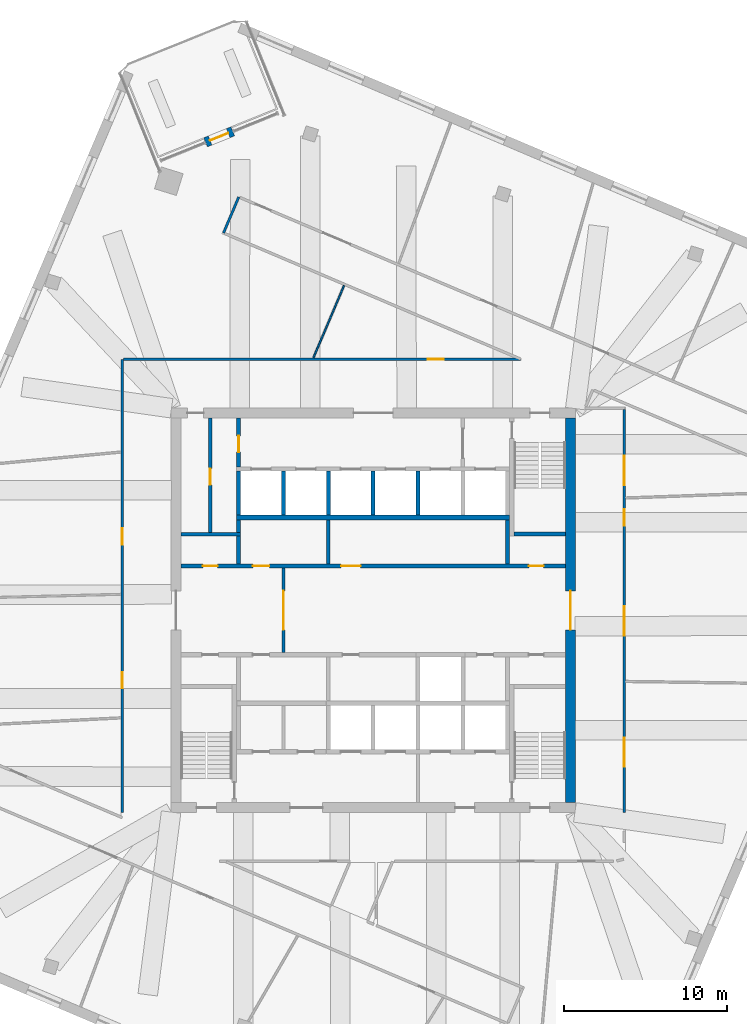
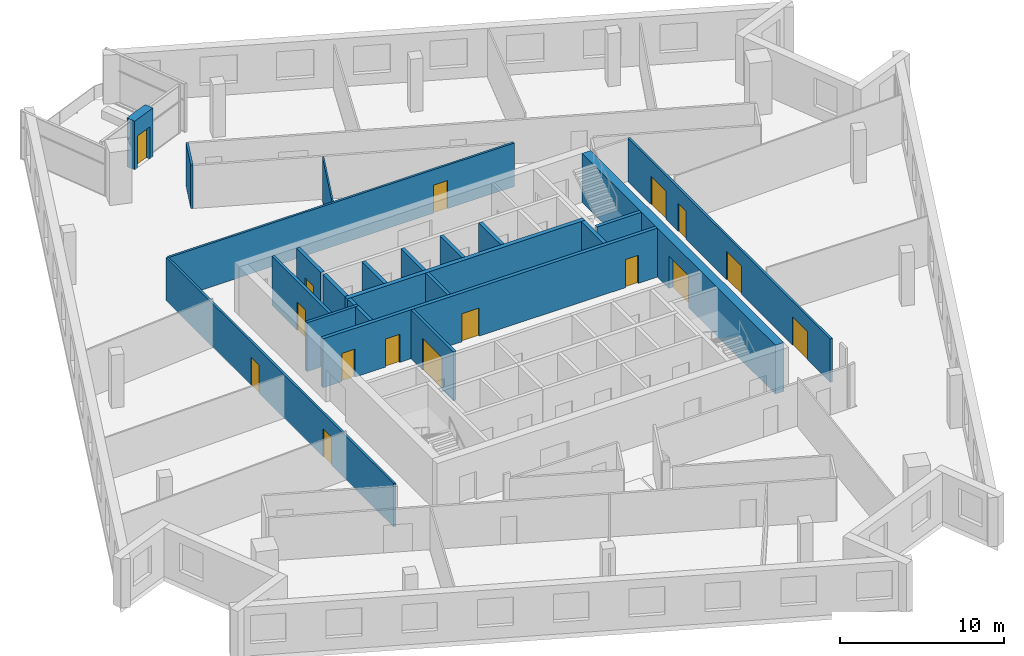
# One storey, part 9 of 13: 23 walls, 16 doors, 16 openings.
"""IFC4 building model written with IfcOpenShell, lengths in metres."""

from ifc_helpers import new_model, si_unit, direction, frame, frame_2d, origin, place, context, subcontext, project, spatial, rectangle, extrude, material, layer, layer_set, type_object, element, fill, save


model = new_model("IFC4")

# Units and contexts
model_context = context("Model", 3, precision=1e-05, world=origin(), true_north=direction((0.0, 1.0)))
body_context = subcontext(model_context, "Body", "Model", "MODEL_VIEW")
ifc_project = project(units=[si_unit("LENGTHUNIT", "METRE"), si_unit("AREAUNIT", "SQUARE_METRE"), si_unit("VOLUMEUNIT", "CUBIC_METRE"), si_unit("PLANEANGLEUNIT", "RADIAN"), si_unit("MASSUNIT", "GRAM", prefix="KILO")], contexts=[model_context])

# Site, building, storey
site_placement = place(None, origin())
site = spatial("IfcSite", under=ifc_project, at=site_placement, CompositionType="ELEMENT")
building_placement = place(site_placement, origin())
building = spatial("IfcBuilding", under=site, at=building_placement, Name="Dilmun Exchange Tower", CompositionType="ELEMENT")
storey_placement = place(building_placement, frame((0.0, 0.0, 296.5)))
storey = spatial("IfcBuildingStorey", under=building, at=storey_placement, Name="L70", CompositionType="ELEMENT", Elevation=296.5)

# Wall, opening, door
ifc_material_1 = material(Name="Concrete C40/50", Category="concrete")
ifc_layer_1 = layer(ifc_material_1, 0.199951171875)
ifc_layer_set_1 = layer_set([ifc_layer_1], Name="Concrete C40/50")
wall_type_1 = type_object("IfcWallType", Name="Core partition wall 200", PredefinedType="PARTITIONING", material=ifc_layer_set_1)
wall_1_placement = place(storey_placement, frame((-5.5, -2.594970703125, 0.0), z_axis=(0.0, 0.0, 1.0), x_axis=(0.0, 1.0, 0.0)))
wall_1 = element("IfcWall", 1, at=wall_1_placement, inside=storey, type_object=wall_type_1, Name="L70 core partition wall 11", PredefinedType="PARTITIONING", context=body_context, shape_type="SweptSolid", body=[
    extrude(rectangle(XDim=5.18994140625, YDim=0.199951171875, at=frame_2d((2.594970703125, 0.0))), origin(), (0.0, 0.0, 1.0), 3.64990234375),
])
opening_1_placement = place(wall_1_placement, frame((1.39501953125, 0.0, 0.0)))
opening_1 = element("IfcOpeningElement", 2, at=opening_1_placement, cuts=wall_1, Name="Opening CD1", PredefinedType="OPENING", context=body_context, shape_type="SweptSolid", body=[
    extrude(rectangle(XDim=2.39990234375, YDim=2.39990234375, at=frame_2d((1.199951171875, 1.199951171875))), frame((0.0, 0.10986328125, 0.0), z_axis=(0.0, -1.0, 0.0), x_axis=(1.0, 0.0, 0.0)), (0.0, 0.0, 1.0), 0.219970703125),
])
ifc_material_2 = material(Name="Fire-rated steel door set", Category="steel")
door_type_1 = type_object("IfcDoorType", Name="Core lobby door 2400x2400", OperationType="DOUBLE_DOOR_DOUBLE_SWING", PredefinedType="DOOR", material=ifc_material_2)
door_1_placement = place(opening_1_placement, origin())
door_1 = element("IfcDoor", 3, at=door_1_placement, inside=storey, type_object=door_type_1, Name="L70 door Lift lobby east", OperationType="SINGLE_SWING_LEFT", OverallHeight=2.39990234375, OverallWidth=2.39990234375, PredefinedType="DOOR", context=body_context, shape_type="SweptSolid", body=[
    extrude(rectangle(XDim=2.39990234375, YDim=2.39990234375, at=frame_2d((1.199951171875, 1.199951171875))), frame((0.0, 0.02490234375, 0.0), z_axis=(0.0, -1.0, 0.0), x_axis=(1.0, 0.0, 0.0)), (0.0, 0.0, 1.0), 0.050048828125),
])
fill(opening_1, door_1)

# Walls
wall_2_placement = place(storey_placement, frame((-2.75, 2.85498046875, 0.0), z_axis=(0.0, 0.0, 1.0), x_axis=(0.0, 1.0, 0.0)))
element("IfcWall", 4, at=wall_2_placement, inside=storey, type_object=wall_type_1, Name="L70 core partition wall 14", PredefinedType="PARTITIONING", context=body_context, shape_type="SweptSolid", body=[
    extrude(rectangle(XDim=2.68994140625, YDim=0.199951171875, at=frame_2d((1.344970703125, 0.0))), origin(), (0.0, 0.0, 1.0), 3.64990234375),
])
wall_3_placement = place(storey_placement, frame((-11.794921875, 4.675048828125, 0.0), z_axis=(0.0, 0.0, 1.0), x_axis=(1.0, 0.0, 0.0)))
element("IfcWall", 5, at=wall_3_placement, inside=storey, type_object=wall_type_1, Name="L70 core partition wall 16", PredefinedType="PARTITIONING", context=body_context, shape_type="SweptSolid", body=[
    extrude(rectangle(XDim=3.64501953125, YDim=0.199951171875, at=frame_2d((1.822509765625, 0.0))), origin(), (0.0, 0.0, 1.0), 3.64990234375),
])

# Wall, opening, door
wall_4_placement = place(storey_placement, frame((-10.0, 4.780029296875, 0.0), z_axis=(0.0, 0.0, 1.0), x_axis=(0.0, 1.0, 0.0)))
wall_4 = element("IfcWall", 6, at=wall_4_placement, inside=storey, type_object=wall_type_1, Name="L70 core partition wall 17", PredefinedType="PARTITIONING", context=body_context, shape_type="SweptSolid", body=[
    extrude(rectangle(XDim=7.014892578125, YDim=0.199951171875, at=frame_2d((3.50732421875, 0.0))), origin(), (0.0, 0.0, 1.0), 3.64990234375),
])
opening_2_placement = place(wall_4_placement, frame((2.919921875, 0.0, 0.0)))
opening_2 = element("IfcOpeningElement", 7, at=opening_2_placement, cuts=wall_4, Name="Opening CD4", PredefinedType="OPENING", context=body_context, shape_type="SweptSolid", body=[
    extrude(rectangle(XDim=1.0, YDim=2.10009765625, at=frame_2d((0.5, 1.050048828125))), frame((0.0, 0.10986328125, 0.0), z_axis=(0.0, -1.0, 0.0), x_axis=(1.0, 0.0, 0.0)), (0.0, 0.0, 1.0), 0.219970703125),
])
door_type_2 = type_object("IfcDoorType", Name="Core room door 1000x2100", OperationType="SINGLE_SWING_LEFT", PredefinedType="DOOR", material=ifc_material_2)
door_2_placement = place(opening_2_placement, origin())
door_2 = element("IfcDoor", 8, at=door_2_placement, inside=storey, type_object=door_type_2, Name="L70 door Comms room", OperationType="SINGLE_SWING_LEFT", OverallHeight=2.10009765625, OverallWidth=1.0, PredefinedType="DOOR", context=body_context, shape_type="SweptSolid", body=[
    extrude(rectangle(XDim=1.0, YDim=2.10009765625, at=frame_2d((0.5, 1.050048828125))), frame((0.0, 0.02490234375, 0.0), z_axis=(0.0, -1.0, 0.0), x_axis=(1.0, 0.0, 0.0)), (0.0, 0.0, 1.0), 0.050048828125),
])
fill(opening_2, door_2)

# Wall, openings, doors
ifc_layer_2 = layer(ifc_material_1, 0.25)
ifc_layer_set_2 = layer_set([ifc_layer_2], Name="Concrete C40/50")
wall_type_2 = type_object("IfcWallType", Name="Core partition wall 250", PredefinedType="PARTITIONING", material=ifc_layer_set_2)
wall_5_placement = place(storey_placement, frame((-11.794921875, 2.72509765625, 0.0), z_axis=(0.0, 0.0, 1.0), x_axis=(1.0, 0.0, 0.0)))
wall_5 = element("IfcWall", 9, at=wall_5_placement, inside=storey, type_object=wall_type_2, Name="L70 core partition wall 12", PredefinedType="PARTITIONING", context=body_context, shape_type="SweptSolid", body=[
    extrude(rectangle(XDim=23.58984375, YDim=0.25, at=frame_2d((11.794921875, 0.0))), origin(), (0.0, 0.0, 1.0), 3.64990234375),
])
opening_3_placement = place(wall_5_placement, frame((21.344970703125, 0.0, 0.0)))
opening_3 = element("IfcOpeningElement", 10, at=opening_3_placement, cuts=wall_5, Name="Opening CD6", PredefinedType="OPENING", context=body_context, shape_type="SweptSolid", body=[
    extrude(rectangle(XDim=0.89990234375, YDim=2.10009765625, at=frame_2d((0.449951171875, 1.050048828125))), frame((0.0, 0.135009765625, 0.0), z_axis=(0.0, -1.0, 0.0), x_axis=(1.0, 0.0, 0.0)), (0.0, 0.0, 1.0), 0.27001953125),
])
opening_4_placement = place(wall_5_placement, frame((1.344970703125, 0.0, 0.0)))
opening_4 = element("IfcOpeningElement", 11, at=opening_4_placement, cuts=wall_5, Name="Opening CD6", PredefinedType="OPENING", context=body_context, shape_type="SweptSolid", body=[
    extrude(rectangle(XDim=0.89990234375, YDim=2.10009765625, at=frame_2d((0.449951171875, 1.050048828125))), frame((0.0, 0.135009765625, 0.0), z_axis=(0.0, -1.0, 0.0), x_axis=(1.0, 0.0, 0.0)), (0.0, 0.0, 1.0), 0.27001953125),
])
opening_5_placement = place(wall_5_placement, frame((4.419921875, 0.0, 0.0)))
opening_5 = element("IfcOpeningElement", 12, at=opening_5_placement, cuts=wall_5, Name="Opening CD4", PredefinedType="OPENING", context=body_context, shape_type="SweptSolid", body=[
    extrude(rectangle(XDim=1.0, YDim=2.10009765625, at=frame_2d((0.5, 1.050048828125))), frame((0.0, 0.135009765625, 0.0), z_axis=(0.0, -1.0, 0.0), x_axis=(1.0, 0.0, 0.0)), (0.0, 0.0, 1.0), 0.27001953125),
])
opening_6_placement = place(wall_5_placement, frame((9.820068359375, 0.0, 0.0)))
opening_6 = element("IfcOpeningElement", 13, at=opening_6_placement, cuts=wall_5, Name="Opening CD3", PredefinedType="OPENING", context=body_context, shape_type="SweptSolid", body=[
    extrude(rectangle(XDim=1.199951171875, YDim=2.10009765625, at=frame_2d((0.60009765625, 1.050048828125))), frame((0.0, 0.135009765625, 0.0), z_axis=(0.0, -1.0, 0.0), x_axis=(1.0, 0.0, 0.0)), (0.0, 0.0, 1.0), 0.27001953125),
])
door_3_placement = place(opening_5_placement, origin())
door_3 = element("IfcDoor", 14, at=door_3_placement, inside=storey, type_object=door_type_2, Name="L70 door Archive store", OperationType="SINGLE_SWING_LEFT", OverallHeight=2.10009765625, OverallWidth=1.0, PredefinedType="DOOR", context=body_context, shape_type="SweptSolid", body=[
    extrude(rectangle(XDim=1.0, YDim=2.10009765625, at=frame_2d((0.5, 1.050048828125))), frame((0.0, 0.02490234375, 0.0), z_axis=(0.0, -1.0, 0.0), x_axis=(1.0, 0.0, 0.0)), (0.0, 0.0, 1.0), 0.050048828125),
])
fill(opening_5, door_3)
door_type_3 = type_object("IfcDoorType", Name="Core room door 900x2100", OperationType="SINGLE_SWING_LEFT", PredefinedType="DOOR", material=ifc_material_2)
door_4_placement = place(opening_3_placement, origin())
door_4 = element("IfcDoor", 15, at=door_4_placement, inside=storey, type_object=door_type_3, Name="L70 door Electrical riser", OperationType="SINGLE_SWING_LEFT", OverallHeight=2.10009765625, OverallWidth=0.89990234375, PredefinedType="DOOR", context=body_context, shape_type="SweptSolid", body=[
    extrude(rectangle(XDim=0.89990234375, YDim=2.10009765625, at=frame_2d((0.449951171875, 1.050048828125))), frame((0.0, 0.02490234375, 0.0), z_axis=(0.0, -1.0, 0.0), x_axis=(1.0, 0.0, 0.0)), (0.0, 0.0, 1.0), 0.050048828125),
])
fill(opening_3, door_4)
door_5_placement = place(opening_4_placement, origin())
door_5 = element("IfcDoor", 16, at=door_5_placement, inside=storey, type_object=door_type_3, Name="L70 door Plumbing riser", OperationType="SINGLE_SWING_LEFT", OverallHeight=2.10009765625, OverallWidth=0.89990234375, PredefinedType="DOOR", context=body_context, shape_type="SweptSolid", body=[
    extrude(rectangle(XDim=0.89990234375, YDim=2.10009765625, at=frame_2d((0.449951171875, 1.050048828125))), frame((0.0, 0.02490234375, 0.0), z_axis=(0.0, -1.0, 0.0), x_axis=(1.0, 0.0, 0.0)), (0.0, 0.0, 1.0), 0.050048828125),
])
fill(opening_4, door_5)
door_type_4 = type_object("IfcDoorType", Name="Stair exit door 1200x2100", OperationType="SINGLE_SWING_LEFT", PredefinedType="DOOR", material=ifc_material_2)
door_6_placement = place(opening_6_placement, origin())
door_6 = element("IfcDoor", 17, at=door_6_placement, inside=storey, type_object=door_type_4, Name="L70 door Facilities workshop", OperationType="SINGLE_SWING_LEFT", OverallHeight=2.10009765625, OverallWidth=1.199951171875, PredefinedType="DOOR", context=body_context, shape_type="SweptSolid", body=[
    extrude(rectangle(XDim=1.199951171875, YDim=2.10009765625, at=frame_2d((0.60009765625, 1.050048828125))), frame((0.0, 0.02490234375, 0.0), z_axis=(0.0, -1.0, 0.0), x_axis=(1.0, 0.0, 0.0)), (0.0, 0.0, 1.0), 0.050048828125),
])
fill(opening_6, door_6)

# Walls
wall_6_placement = place(storey_placement, frame((-8.25, 2.85498046875, 0.0), z_axis=(0.0, 0.0, 1.0), x_axis=(0.0, 1.0, 0.0)))
element("IfcWall", 18, at=wall_6_placement, inside=storey, type_object=wall_type_2, Name="L70 core partition wall 13", PredefinedType="PARTITIONING", context=body_context, shape_type="SweptSolid", body=[
    extrude(rectangle(XDim=1.715087890625, YDim=0.25, at=frame_2d((0.857421875, 0.0))), origin(), (0.0, 0.0, 1.0), 3.64990234375),
])
wall_7_placement = place(storey_placement, frame((8.25, 2.85498046875, 0.0), z_axis=(0.0, 0.0, 1.0), x_axis=(0.0, 1.0, 0.0)))
element("IfcWall", 19, at=wall_7_placement, inside=storey, type_object=wall_type_2, Name="L70 core partition wall 15", PredefinedType="PARTITIONING", context=body_context, shape_type="SweptSolid", body=[
    extrude(rectangle(XDim=2.68994140625, YDim=0.25, at=frame_2d((1.344970703125, 0.0))), origin(), (0.0, 0.0, 1.0), 3.64990234375),
])
wall_8_placement = place(storey_placement, frame((-8.25, 4.780029296875, 0.0), z_axis=(0.0, 0.0, 1.0), x_axis=(0.0, 1.0, 0.0)))
element("IfcWall", 20, at=wall_8_placement, inside=storey, type_object=wall_type_2, Name="L70 core partition wall 18", PredefinedType="PARTITIONING", context=body_context, shape_type="SweptSolid", body=[
    extrude(rectangle(XDim=0.764892578125, YDim=0.25, at=frame_2d((0.38232421875, 0.0))), origin(), (0.0, 0.0, 1.0), 3.64990234375),
])

# Wall, opening, door
wall_9_placement = place(storey_placement, frame((-8.25, 8.804931640625, 0.0), z_axis=(0.0, 0.0, 1.0), x_axis=(0.0, 1.0, 0.0)))
wall_9 = element("IfcWall", 21, at=wall_9_placement, inside=storey, type_object=wall_type_2, Name="L70 core partition wall 19", PredefinedType="PARTITIONING", context=body_context, shape_type="SweptSolid", body=[
    extrude(rectangle(XDim=2.989990234375, YDim=0.25, at=frame_2d((1.4951171875, 0.0))), origin(), (0.0, 0.0, 1.0), 3.64990234375),
])
opening_7_placement = place(wall_9_placement, frame((0.89501953125, 0.0, 0.0)))
opening_7 = element("IfcOpeningElement", 22, at=opening_7_placement, cuts=wall_9, Name="Opening CD4", PredefinedType="OPENING", context=body_context, shape_type="SweptSolid", body=[
    extrude(rectangle(XDim=1.0, YDim=2.10009765625, at=frame_2d((0.5, 1.050048828125))), frame((0.0, 0.135009765625, 0.0), z_axis=(0.0, -1.0, 0.0), x_axis=(1.0, 0.0, 0.0)), (0.0, 0.0, 1.0), 0.27001953125),
])
door_7_placement = place(opening_7_placement, origin())
door_7 = element("IfcDoor", 23, at=door_7_placement, inside=storey, type_object=door_type_2, Name="L70 door Security room", OperationType="SINGLE_SWING_LEFT", OverallHeight=2.10009765625, OverallWidth=1.0, PredefinedType="DOOR", context=body_context, shape_type="SweptSolid", body=[
    extrude(rectangle(XDim=1.0, YDim=2.10009765625, at=frame_2d((0.5, 1.050048828125))), frame((0.0, 0.02490234375, 0.0), z_axis=(0.0, -1.0, 0.0), x_axis=(1.0, 0.0, 0.0)), (0.0, 0.0, 1.0), 0.050048828125),
])
fill(opening_7, door_7)

ifc_material_3 = material(Name="Concrete C50/60", Category="concrete")
ifc_layer_3 = layer(ifc_material_3, 0.60009765625)
ifc_layer_set_3 = layer_set([ifc_layer_3], Name="Concrete C50/60")
wall_type_3 = type_object("IfcWallType", Name="Core shear wall 600 Concrete C50/60", PredefinedType="SHEAR", material=ifc_layer_set_3)
wall_10_placement = place(storey_placement, frame((12.10009765625, -11.800048828125, 0.0), z_axis=(0.0, 0.0, 1.0), x_axis=(0.0, 1.0, 0.0)))
wall_10 = element("IfcWall", 24, at=wall_10_placement, inside=storey, type_object=wall_type_3, Name="L70 core shear wall E", PredefinedType="SHEAR", context=body_context, shape_type="SweptSolid", body=[
    extrude(rectangle(XDim=23.60009765625, YDim=0.60009765625, at=frame_2d((11.800048828125, 0.0))), origin(), (0.0, 0.0, 1.0), 3.64990234375),
])
opening_8_placement = place(wall_10_placement, frame((10.60009765625, 0.0, 0.0)))
opening_8 = element("IfcOpeningElement", 25, at=opening_8_placement, cuts=wall_10, Name="Opening CD1", PredefinedType="OPENING", context=body_context, shape_type="SweptSolid", body=[
    extrude(rectangle(XDim=2.39990234375, YDim=2.39990234375, at=frame_2d((1.199951171875, 1.199951171875))), frame((0.0, 0.31005859375, 0.0), z_axis=(0.0, -1.0, 0.0), x_axis=(1.0, 0.0, 0.0)), (0.0, 0.0, 1.0), 0.6201171875),
])
door_8_placement = place(opening_8_placement, origin())
door_8 = element("IfcDoor", 26, at=door_8_placement, inside=storey, type_object=door_type_1, Name="L70 door Central lift lobby", OperationType="SINGLE_SWING_LEFT", OverallHeight=2.39990234375, OverallWidth=2.39990234375, PredefinedType="DOOR", context=body_context, shape_type="SweptSolid", body=[
    extrude(rectangle(XDim=2.39990234375, YDim=2.39990234375, at=frame_2d((1.199951171875, 1.199951171875))), frame((0.0, 0.02490234375, 0.0), z_axis=(0.0, -1.0, 0.0), x_axis=(1.0, 0.0, 0.0)), (0.0, 0.0, 1.0), 0.050048828125),
])
fill(opening_8, door_8)

# Wall, openings, doors
ifc_material_4 = material(Name="Corridor wall 150")
ifc_layer_4 = layer(ifc_material_4, 0.14990234375)
ifc_layer_set_4 = layer_set([ifc_layer_4], Name="Corridor wall 150")
wall_type_4 = type_object("IfcWallType", Name="Corridor wall 150", PredefinedType="PARTITIONING", material=ifc_layer_set_4)
wall_11_placement = place(storey_placement, frame((-15.39990234375, -12.39990234375, 0.0), z_axis=(0.0, 0.0, 1.0), x_axis=(0.0, 1.0, 0.0)))
wall_11 = element("IfcWall", 27, at=wall_11_placement, inside=storey, type_object=wall_type_4, Name="Corridor wall", PredefinedType="PARTITIONING", context=body_context, shape_type="SweptSolid", body=[
    extrude(rectangle(XDim=27.7998046875, YDim=0.14990234375, at=frame_2d((13.89990234375, 0.0))), origin(), (0.0, 0.0, 1.0), 3.25),
])
opening_9_placement = place(wall_11_placement, frame((7.607666015625, 0.0, 0.0)))
opening_9 = element("IfcOpeningElement", 28, at=opening_9_placement, cuts=wall_11, Name="Opening TF70-D01", PredefinedType="OPENING", context=body_context, shape_type="SweptSolid", body=[
    extrude(rectangle(XDim=1.0, YDim=2.10009765625, at=frame_2d((0.5, 1.050048828125))), frame((0.0, 0.0849609375, 0.0), z_axis=(0.0, -1.0, 0.0), x_axis=(1.0, 0.0, 0.0)), (0.0, 0.0, 1.0), 0.169921875),
])
opening_10_placement = place(wall_11_placement, frame((16.435302734375, 0.0, 0.0)))
opening_10 = element("IfcOpeningElement", 29, at=opening_10_placement, cuts=wall_11, Name="Opening TF70-D04", PredefinedType="OPENING", context=body_context, shape_type="SweptSolid", body=[
    extrude(rectangle(XDim=1.0, YDim=2.10009765625, at=frame_2d((0.5, 1.050048828125))), frame((0.0, 0.0849609375, 0.0), z_axis=(0.0, -1.0, 0.0), x_axis=(1.0, 0.0, 0.0)), (0.0, 0.0, 1.0), 0.169921875),
])
ifc_material_5 = material(Name="Fire door 1000 x 2100")
door_type_5 = type_object("IfcDoorType", Name="Fire door 1000 x 2100", OperationType="NOTDEFINED", PredefinedType="DOOR", material=ifc_material_5)
door_9_placement = place(opening_9_placement, origin())
door_9 = element("IfcDoor", 30, at=door_9_placement, inside=storey, type_object=door_type_5, Name="Door TF70-D01", OperationType="SINGLE_SWING_RIGHT", OverallHeight=2.10009765625, OverallWidth=1.0, PredefinedType="DOOR", context=body_context, shape_type="SweptSolid", body=[
    extrude(rectangle(XDim=1.0, YDim=2.10009765625, at=frame_2d((0.5, 1.050048828125))), frame((0.0, 0.02490234375, 0.0), z_axis=(0.0, -1.0, 0.0), x_axis=(1.0, 0.0, 0.0)), (0.0, 0.0, 1.0), 0.050048828125),
])
fill(opening_9, door_9)
door_10_placement = place(opening_10_placement, origin())
door_10 = element("IfcDoor", 31, at=door_10_placement, inside=storey, type_object=door_type_5, Name="Door TF70-D04", OperationType="SINGLE_SWING_LEFT", OverallHeight=2.10009765625, OverallWidth=1.0, PredefinedType="DOOR", context=body_context, shape_type="SweptSolid", body=[
    extrude(rectangle(XDim=1.0, YDim=2.10009765625, at=frame_2d((0.5, 1.050048828125))), frame((0.0, 0.02490234375, 0.0), z_axis=(0.0, -1.0, 0.0), x_axis=(1.0, 0.0, 0.0)), (0.0, 0.0, 1.0), 0.050048828125),
])
fill(opening_10, door_10)

# Wall, opening, door
wall_12_placement = place(storey_placement, frame((-15.324951171875, 15.39990234375, 0.0), z_axis=(0.0, 0.0, 1.0), x_axis=(1.0, 0.0, 0.0)))
wall_12 = element("IfcWall", 32, at=wall_12_placement, inside=storey, type_object=wall_type_4, Name="Corridor wall", PredefinedType="PARTITIONING", context=body_context, shape_type="SweptSolid", body=[
    extrude(rectangle(XDim=24.3779296875, YDim=0.14990234375, at=frame_2d((12.18896484375, 0.0))), origin(), (0.0, 0.0, 1.0), 3.25),
])
opening_11_placement = place(wall_12_placement, frame((18.66748046875, 0.0, 0.0)))
opening_11 = element("IfcOpeningElement", 33, at=opening_11_placement, cuts=wall_12, Name="Opening TF70-D10", PredefinedType="OPENING", context=body_context, shape_type="SweptSolid", body=[
    extrude(rectangle(XDim=1.0, YDim=2.10009765625, at=frame_2d((0.5, 1.050048828125))), frame((0.0, 0.0849609375, 0.0), z_axis=(0.0, -1.0, 0.0), x_axis=(1.0, 0.0, 0.0)), (0.0, 0.0, 1.0), 0.169921875),
])
door_11_placement = place(opening_11_placement, origin())
door_11 = element("IfcDoor", 34, at=door_11_placement, inside=storey, type_object=door_type_5, Name="Door TF70-D10", OperationType="SINGLE_SWING_RIGHT", OverallHeight=2.10009765625, OverallWidth=1.0, PredefinedType="DOOR", context=body_context, shape_type="SweptSolid", body=[
    extrude(rectangle(XDim=1.0, YDim=2.10009765625, at=frame_2d((0.5, 1.050048828125))), frame((0.0, 0.02490234375, 0.0), z_axis=(0.0, -1.0, 0.0), x_axis=(1.0, 0.0, 0.0)), (0.0, 0.0, 1.0), 0.050048828125),
])
fill(opening_11, door_11)

# Wall
wall_13_placement = place(storey_placement, frame((-9.18310546875, 23.14501953125, 0.0), z_axis=(0.0, 0.0, 1.0), x_axis=(0.390847654615, 0.920455382342, 0.0)))
element("IfcWall", 35, at=wall_13_placement, inside=storey, type_object=wall_type_4, Name="Corridor wall", PredefinedType="PARTITIONING", context=body_context, shape_type="SweptSolid", body=[
    extrude(rectangle(XDim=2.39990234375, YDim=0.14990234375, at=frame_2d((1.199951171875, 0.0))), origin(), (0.0, 0.0, 1.0), 3.25),
])

# Wall, openings, doors
wall_14_placement = place(storey_placement, frame((15.39990234375, -12.39990234375, 0.0), z_axis=(0.0, 0.0, 1.0), x_axis=(0.0, 1.0, 0.0)))
wall_14 = element("IfcWall", 36, at=wall_14_placement, inside=storey, type_object=wall_type_4, Name="Corridor wall", PredefinedType="PARTITIONING", context=body_context, shape_type="SweptSolid", body=[
    extrude(rectangle(XDim=24.724853515625, YDim=0.14990234375, at=frame_2d((12.3623046875, 0.0))), origin(), (0.0, 0.0, 1.0), 3.25),
])
opening_12_placement = place(wall_14_placement, frame((2.800048828125, 0.0, 0.0)))
opening_12 = element("IfcOpeningElement", 37, at=opening_12_placement, cuts=wall_14, Name="Opening TF70-D14", PredefinedType="OPENING", context=body_context, shape_type="SweptSolid", body=[
    extrude(rectangle(XDim=1.800048828125, YDim=2.10009765625, at=frame_2d((0.89990234375, 1.050048828125))), frame((0.0, 0.0849609375, 0.0), z_axis=(0.0, -1.0, 0.0), x_axis=(1.0, 0.0, 0.0)), (0.0, 0.0, 1.0), 0.169921875),
])
opening_13_placement = place(wall_14_placement, frame((10.84033203125, 0.0, 0.0)))
opening_13 = element("IfcOpeningElement", 38, at=opening_13_placement, cuts=wall_14, Name="Opening TF70-D16", PredefinedType="OPENING", context=body_context, shape_type="SweptSolid", body=[
    extrude(rectangle(XDim=1.800048828125, YDim=2.10009765625, at=frame_2d((0.89990234375, 1.050048828125))), frame((0.0, 0.0849609375, 0.0), z_axis=(0.0, -1.0, 0.0), x_axis=(1.0, 0.0, 0.0)), (0.0, 0.0, 1.0), 0.169921875),
])
opening_14_placement = place(wall_14_placement, frame((17.59033203125, 0.0, 0.0)))
opening_14 = element("IfcOpeningElement", 39, at=opening_14_placement, cuts=wall_14, Name="Opening TF70-D17", PredefinedType="OPENING", context=body_context, shape_type="SweptSolid", body=[
    extrude(rectangle(XDim=1.0, YDim=2.10009765625, at=frame_2d((0.5, 1.050048828125))), frame((0.0, 0.0849609375, 0.0), z_axis=(0.0, -1.0, 0.0), x_axis=(1.0, 0.0, 0.0)), (0.0, 0.0, 1.0), 0.169921875),
])
opening_15_placement = place(wall_14_placement, frame((20.08642578125, 0.0, 0.0)))
opening_15 = element("IfcOpeningElement", 40, at=opening_15_placement, cuts=wall_14, Name="Opening TF70-D18", PredefinedType="OPENING", context=body_context, shape_type="SweptSolid", body=[
    extrude(rectangle(XDim=1.800048828125, YDim=2.10009765625, at=frame_2d((0.89990234375, 1.050048828125))), frame((0.0, 0.0849609375, 0.0), z_axis=(0.0, -1.0, 0.0), x_axis=(1.0, 0.0, 0.0)), (0.0, 0.0, 1.0), 0.169921875),
])
door_12_placement = place(opening_14_placement, frame((1.0, 0.0, 0.0), z_axis=(0.0, 0.0, 1.0), x_axis=(-1.0, 0.0, 0.0)))
door_12 = element("IfcDoor", 41, at=door_12_placement, inside=storey, type_object=door_type_5, Name="Door TF70-D17", OperationType="SINGLE_SWING_LEFT", OverallHeight=2.10009765625, OverallWidth=1.0, PredefinedType="DOOR", context=body_context, shape_type="SweptSolid", body=[
    extrude(rectangle(XDim=1.0, YDim=2.10009765625, at=frame_2d((0.5, 1.050048828125))), frame((0.0, 0.02490234375, 0.0), z_axis=(0.0, -1.0, 0.0), x_axis=(1.0, 0.0, 0.0)), (0.0, 0.0, 1.0), 0.050048828125),
])
fill(opening_14, door_12)
ifc_material_6 = material(Name="Fire door pair 1800 x 2100")
door_type_6 = type_object("IfcDoorType", Name="Fire door pair 1800 x 2100", OperationType="NOTDEFINED", PredefinedType="DOOR", material=ifc_material_6)
door_13_placement = place(opening_12_placement, frame((1.800048828125, 0.0, 0.0), z_axis=(0.0, 0.0, 1.0), x_axis=(-1.0, 0.0, 0.0)))
door_13 = element("IfcDoor", 42, at=door_13_placement, inside=storey, type_object=door_type_6, Name="Door TF70-D14", OperationType="DOUBLE_DOOR_SINGLE_SWING", OverallHeight=2.10009765625, OverallWidth=1.800048828125, PredefinedType="DOOR", context=body_context, shape_type="SweptSolid", body=[
    extrude(rectangle(XDim=1.800048828125, YDim=2.10009765625, at=frame_2d((0.89990234375, 1.050048828125))), frame((0.0, 0.02490234375, 0.0), z_axis=(0.0, -1.0, 0.0), x_axis=(1.0, 0.0, 0.0)), (0.0, 0.0, 1.0), 0.050048828125),
])
fill(opening_12, door_13)
door_14_placement = place(opening_13_placement, frame((1.800048828125, 0.0, 0.0), z_axis=(0.0, 0.0, 1.0), x_axis=(-1.0, 0.0, 0.0)))
door_14 = element("IfcDoor", 43, at=door_14_placement, inside=storey, type_object=door_type_6, Name="Door TF70-D16", OperationType="DOUBLE_DOOR_SINGLE_SWING", OverallHeight=2.10009765625, OverallWidth=1.800048828125, PredefinedType="DOOR", context=body_context, shape_type="SweptSolid", body=[
    extrude(rectangle(XDim=1.800048828125, YDim=2.10009765625, at=frame_2d((0.89990234375, 1.050048828125))), frame((0.0, 0.02490234375, 0.0), z_axis=(0.0, -1.0, 0.0), x_axis=(1.0, 0.0, 0.0)), (0.0, 0.0, 1.0), 0.050048828125),
])
fill(opening_13, door_14)
door_15_placement = place(opening_15_placement, frame((1.800048828125, 0.0, 0.0), z_axis=(0.0, 0.0, 1.0), x_axis=(-1.0, 0.0, 0.0)))
door_15 = element("IfcDoor", 44, at=door_15_placement, inside=storey, type_object=door_type_6, Name="Door TF70-D18", OperationType="DOUBLE_DOOR_SINGLE_SWING", OverallHeight=2.10009765625, OverallWidth=1.800048828125, PredefinedType="DOOR", context=body_context, shape_type="SweptSolid", body=[
    extrude(rectangle(XDim=1.800048828125, YDim=2.10009765625, at=frame_2d((0.89990234375, 1.050048828125))), frame((0.0, 0.02490234375, 0.0), z_axis=(0.0, -1.0, 0.0), x_axis=(1.0, 0.0, 0.0)), (0.0, 0.0, 1.0), 0.050048828125),
])
fill(opening_15, door_15)

# Walls
ifc_layer_5 = layer(ifc_material_1, 0.300048828125)
ifc_layer_set_5 = layer_set([ifc_layer_5], Name="Concrete C40/50")
wall_type_5 = type_object("IfcWallType", Name="Lift shaft shared wall 300", PredefinedType="SOLIDWALL", material=ifc_layer_set_5)
wall_15_placement = place(storey_placement, frame((-8.375, 5.699951171875, 0.0), z_axis=(0.0, 0.0, 1.0), x_axis=(1.0, 0.0, 0.0)))
element("IfcWall", 45, at=wall_15_placement, inside=storey, type_object=wall_type_5, Name="L70 lift shaft rear wall N", PredefinedType="SOLIDWALL", context=body_context, shape_type="SweptSolid", body=[
    extrude(rectangle(XDim=16.75, YDim=0.300048828125, at=frame_2d((8.375, 0.0))), origin(), (0.0, 0.0, 1.0), 3.64990234375),
])
ifc_layer_6 = layer(ifc_material_1, 0.25)
ifc_layer_set_6 = layer_set([ifc_layer_6], Name="Concrete C40/50")
wall_type_6 = type_object("IfcWallType", Name="Lift shaft wall 250", PredefinedType="SOLIDWALL", material=ifc_layer_set_6)
for number, where, z_axis, x_axis, name in (
    (46, (-8.25, 5.85009765625, 0.0), (0.0, 0.0, 1.0), (0.0, 1.0, 0.0), "L70 lift shaft divider N20"),
    (47, (-5.5, 5.85009765625, 0.0), (0.0, 0.0, 1.0), (0.0, 1.0, 0.0), "L70 lift shaft divider N21"),
    (48, (-2.75, 5.85009765625, 0.0), (0.0, 0.0, 1.0), (0.0, 1.0, 0.0), "L70 lift shaft divider N22"),
    (49, (0.0, 5.85009765625, 0.0), (0.0, 0.0, 1.0), (0.0, 1.0, 0.0), "L70 lift shaft divider N23"),
    (50, (2.75, 5.85009765625, 0.0), (0.0, 0.0, 1.0), (0.0, 1.0, 0.0), "L70 lift shaft divider N24"),
):
    element("IfcWall", number, at=place(storey_placement, frame(where, z_axis=z_axis, x_axis=x_axis)), inside=storey, type_object=wall_type_6, Name=name, PredefinedType="SOLIDWALL", context=body_context, shape_type="SweptSolid", body=[
        extrude(rectangle(XDim=2.699951171875, YDim=0.25, at=frame_2d((1.35009765625, 0.0))), origin(), (0.0, 0.0, 1.0), 3.64990234375),
    ])
ifc_material_7 = material(Name="Partition 100")
ifc_layer_7 = layer(ifc_material_7, 0.10009765625)
ifc_layer_set_7 = layer_set([ifc_layer_7], Name="Partition 100")
wall_type_7 = type_object("IfcWallType", Name="Partition 100", PredefinedType="PARTITIONING", material=ifc_layer_set_7)
wall_16_placement = place(storey_placement, frame((-3.6669921875, 15.494384765625, 0.0), z_axis=(0.0, 0.0, 1.0), x_axis=(0.390616296151, 0.920553588435, 0.0)))
element("IfcWall", 51, at=wall_16_placement, inside=storey, type_object=wall_type_7, Name="Partition", PredefinedType="PARTITIONING", context=body_context, shape_type="SweptSolid", body=[
    extrude(rectangle(XDim=4.81201171875, YDim=0.10009765625, at=frame_2d((2.406005859375, 0.0))), origin(), (0.0, 0.0, 1.0), 3.25),
])

# Wall, opening, door
ifc_material_8 = material(Name="Precast concrete C50/60", Category="concrete")
ifc_layer_8 = layer(ifc_material_8, 0.60009765625)
ifc_layer_set_8 = layer_set([ifc_layer_8], Name="Precast concrete C50/60")
wall_type_8 = type_object("IfcWallType", Name="Precast stone-clad wall 600", PredefinedType="STANDARD", material=ifc_layer_set_8)
wall_17_placement = place(storey_placement, frame((-8.61279296875, 29.3828125, 0.0), z_axis=(0.0, 0.0, 1.0), x_axis=(-0.927180240316, -0.374615538876, 0.0)))
wall_17 = element("IfcWall", 52, at=wall_17_placement, inside=storey, type_object=wall_type_8, Name="Facade wall L70-01-D", PredefinedType="STANDARD", context=body_context, shape_type="SweptSolid", body=[
    extrude(rectangle(XDim=1.800048828125, YDim=0.60009765625, at=frame_2d((0.89990234375, 0.0))), origin(), (0.0, 0.0, 1.0), 3.64990234375),
])
opening_16_placement = place(wall_17_placement, frame((0.300048828125, 0.0, 0.0)))
opening_16 = element("IfcOpeningElement", 53, at=opening_16_placement, cuts=wall_17, Name="Opening GD-1", PredefinedType="OPENING", context=body_context, shape_type="SweptSolid", body=[
    extrude(rectangle(XDim=1.199951171875, YDim=2.39990234375, at=frame_2d((0.60009765625, 1.199951171875))), frame((0.0, 0.31005859375, 0.0), z_axis=(0.0, -1.0, 0.0), x_axis=(1.0, 0.0, 0.0)), (0.0, 0.0, 1.0), 0.6201171875),
])
ifc_material_9 = material(Name="Clear low-emissivity glass in aluminium frame", Category="aluminium")
door_type_7 = type_object("IfcDoorType", Name="Glazed garden door 1200 x 2400", OperationType="SINGLE_SWING_LEFT", PredefinedType="DOOR", material=ifc_material_9)
door_16_placement = place(opening_16_placement, origin())
door_16 = element("IfcDoor", 54, at=door_16_placement, inside=storey, type_object=door_type_7, Name="Garden terrace door", OperationType="SINGLE_SWING_LEFT", OverallHeight=2.39990234375, OverallWidth=1.199951171875, PredefinedType="DOOR", context=body_context, shape_type="SweptSolid", body=[
    extrude(rectangle(XDim=1.199951171875, YDim=2.39990234375, at=frame_2d((0.60009765625, 1.199951171875))), frame((0.0, 0.02490234375, 0.0), z_axis=(0.0, -1.0, 0.0), x_axis=(1.0, 0.0, 0.0)), (0.0, 0.0, 1.0), 0.050048828125),
])
fill(opening_16, door_16)

# Wall
ifc_layer_9 = layer(ifc_material_1, 0.25)
ifc_layer_set_9 = layer_set([ifc_layer_9], Name="Concrete C40/50")
wall_type_9 = type_object("IfcWallType", Name="Stair end wall 250", PredefinedType="SOLIDWALL", material=ifc_layer_set_9)
wall_18_placement = place(storey_placement, frame((8.64990234375, 4.675048828125, 0.0), z_axis=(0.0, 0.0, 1.0), x_axis=(1.0, 0.0, 0.0)))
element("IfcWall", 55, at=wall_18_placement, inside=storey, type_object=wall_type_9, Name="L70 ST1 far wall", PredefinedType="SOLIDWALL", context=body_context, shape_type="SweptSolid", body=[
    extrude(rectangle(XDim=3.150146484375, YDim=0.25, at=frame_2d((1.5751953125, 0.0))), origin(), (0.0, 0.0, 1.0), 3.64990234375),
])

save(model, "model.ifc")
